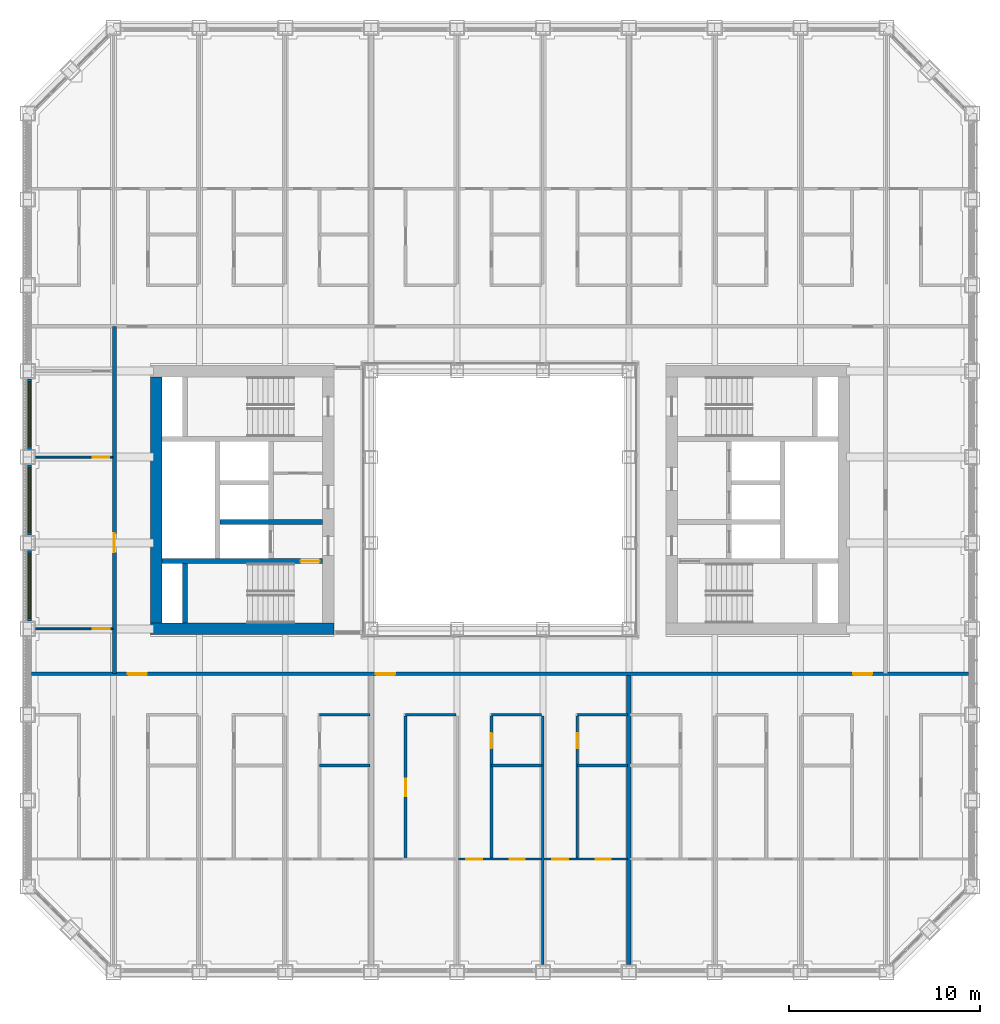
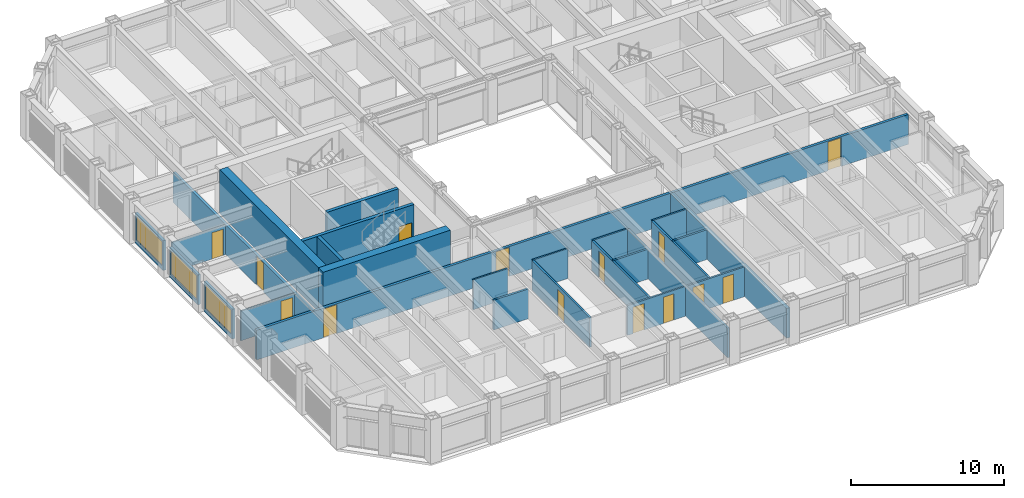
# One storey, part 10 of 21: 26 walls, 14 doors, 3 windows, 17 openings.
"""IFC4 building model written with IfcOpenShell, lengths in metres."""

from ifc_helpers import new_model, si_unit, direction, frame, frame_2d, origin, place, context, subcontext, project, spatial, rectangle, extrude, material, layer, layer_set, type_object, element, fill, save


model = new_model("IFC4")

# Units and contexts
model_context = context("Model", 3, precision=1e-05, world=origin(), true_north=direction((0.0, 1.0)))
body_context = subcontext(model_context, "Body", "Model", "MODEL_VIEW")
ifc_project = project(units=[si_unit("LENGTHUNIT", "METRE"), si_unit("AREAUNIT", "SQUARE_METRE"), si_unit("VOLUMEUNIT", "CUBIC_METRE"), si_unit("PLANEANGLEUNIT", "RADIAN"), si_unit("MASSUNIT", "GRAM", prefix="KILO")], contexts=[model_context])

# Site, building, storey
site_placement = place(None, origin())
site = spatial("IfcSite", under=ifc_project, at=site_placement, CompositionType="ELEMENT")
building_placement = place(site_placement, origin())
building = spatial("IfcBuilding", under=site, at=building_placement, Name="Msasa Ring Tower", CompositionType="ELEMENT")
storey_placement = place(building_placement, frame((0.0, 0.0, 89.5)))
storey = spatial("IfcBuildingStorey", under=building, at=storey_placement, Name="L23", CompositionType="ELEMENT", Elevation=89.5)

# Walls
ifc_material_1 = material(Name="Concrete C60/75", Category="concrete")
ifc_layer_1 = layer(ifc_material_1, 0.60009765625)
ifc_layer_set_1 = layer_set([ifc_layer_1], Name="CW1 CORE WALL 600")
wall_type_1 = type_object("IfcWallType", Name="CW1 CORE WALL 600", PredefinedType="SHEAR", material=ifc_layer_set_1)
wall_1_placement = place(storey_placement, frame((-8.699951171875, -6.75, 0.0), z_axis=(0.0, 0.0, 1.0), x_axis=(-1.0, 0.0, 0.0)))
element("IfcWall", 1, at=wall_1_placement, inside=storey, type_object=wall_type_1, Name="W core wall S L23", PredefinedType="SHEAR", context=body_context, shape_type="SweptSolid", body=[
    extrude(rectangle(XDim=9.60009765625, YDim=0.60009765625, at=frame_2d((4.800048828125, 0.0))), origin(), (0.0, 0.0, 1.0), 3.5),
])
wall_2_placement = place(storey_placement, frame((-18.0, -6.449951171875, 0.0), z_axis=(0.0, 0.0, 1.0), x_axis=(0.0, 1.0, 0.0)))
element("IfcWall", 2, at=wall_2_placement, inside=storey, type_object=wall_type_1, Name="W core wall E L23", PredefinedType="SHEAR", context=body_context, shape_type="SweptSolid", body=[
    extrude(rectangle(XDim=12.89990234375, YDim=0.60009765625, at=frame_2d((6.449951171875, 0.0))), origin(), (0.0, 0.0, 1.0), 3.5),
])

# Wall, opening, door
ifc_material_2 = material(Name="Concrete C60/75", Category="concrete")
ifc_layer_2 = layer(ifc_material_2, 0.25)
ifc_layer_set_2 = layer_set([ifc_layer_2], Name="CW4 CORE INNER WALL 250")
wall_type_2 = type_object("IfcWallType", Name="CW4 CORE INNER WALL 250", PredefinedType="SHEAR", material=ifc_layer_set_2)
wall_3_placement = place(storey_placement, frame((-9.300048828125, -3.199951171875, 0.0), z_axis=(0.0, 0.0, 1.0), x_axis=(-1.0, 0.0, 0.0)))
wall_3 = element("IfcWall", 3, at=wall_3_placement, inside=storey, type_object=wall_type_2, Name="W core wall STAIRA L23", PredefinedType="SHEAR", context=body_context, shape_type="SweptSolid", body=[
    extrude(rectangle(XDim=8.39990234375, YDim=0.25, at=frame_2d((4.199951171875, 0.0))), origin(), (0.0, 0.0, 1.0), 3.5),
])
opening_1_placement = place(wall_3_placement, frame((0.14990234375, 0.0, 0.0)))
opening_1 = element("IfcOpeningElement", 4, at=opening_1_placement, cuts=wall_3, Name="Opening RG-046", PredefinedType="OPENING", context=body_context, shape_type="SweptSolid", body=[
    extrude(rectangle(XDim=1.0, YDim=2.10009765625, at=frame_2d((0.5, 1.050048828125))), frame((0.0, 0.135009765625, 0.0), z_axis=(0.0, -1.0, 0.0), x_axis=(1.0, 0.0, 0.0)), (0.0, 0.0, 1.0), 0.27001953125),
])
ifc_material_3 = material(Name="Timber door leaf in a steel frame", Category="steel")
door_type_1 = type_object("IfcDoorType", Name="D6 STAIR DOOR 1000x2100", OperationType="SINGLE_SWING_LEFT", PredefinedType="DOOR", material=ifc_material_3)
door_1_placement = place(opening_1_placement, origin())
door_1 = element("IfcDoor", 5, at=door_1_placement, inside=storey, type_object=door_type_1, Name="Door L23-WSTA", OperationType="SINGLE_SWING_LEFT", OverallHeight=2.10009765625, OverallWidth=1.0, PredefinedType="DOOR", context=body_context, shape_type="SweptSolid", body=[
    extrude(rectangle(XDim=1.0, YDim=2.10009765625, at=frame_2d((0.5, 1.050048828125))), frame((0.0, 0.02490234375, 0.0), z_axis=(0.0, -1.0, 0.0), x_axis=(1.0, 0.0, 0.0)), (0.0, 0.0, 1.0), 0.050048828125),
])
fill(opening_1, door_1)

# Walls
wall_4_placement = place(storey_placement, frame((-16.5, -6.449951171875, 0.0), z_axis=(0.0, 0.0, 1.0), x_axis=(0.0, 1.0, 0.0)))
element("IfcWall", 6, at=wall_4_placement, inside=storey, type_object=wall_type_2, Name="W core wall RISERA L23", PredefinedType="SHEAR", context=body_context, shape_type="SweptSolid", body=[
    extrude(rectangle(XDim=3.125, YDim=0.25, at=frame_2d((1.5625, 0.0))), origin(), (0.0, 0.0, 1.0), 3.5),
])
wall_5_placement = place(storey_placement, frame((-9.300048828125, -1.14990234375, 0.0), z_axis=(0.0, 0.0, 1.0), x_axis=(-1.0, 0.0, 0.0)))
element("IfcWall", 7, at=wall_5_placement, inside=storey, type_object=wall_type_2, Name="W core wall FFL L23", PredefinedType="SHEAR", context=body_context, shape_type="SweptSolid", body=[
    extrude(rectangle(XDim=5.375, YDim=0.25, at=frame_2d((2.6875, 0.0))), origin(), (0.0, 0.0, 1.0), 3.5),
])

# Wall, opening, window
ifc_material_4 = material(Name="Terracotta rainscreen on blockwork", Category="masonry")
ifc_layer_3 = layer(ifc_material_4, 0.199951171875)
ifc_layer_set_3 = layer_set([ifc_layer_3], Name="FW1 TERRACOTTA-LINED INFILL BAY WALL 200")
wall_type_3 = type_object("IfcWallType", Name="FW1 TERRACOTTA-LINED INFILL BAY WALL 200", PredefinedType="SOLIDWALL", material=ifc_layer_set_3)
wall_6_placement = place(storey_placement, frame((-24.64990234375, -6.344970703125, 0.0), z_axis=(0.0, 0.0, 1.0), x_axis=(0.0, 1.0, 0.0)))
wall_6 = element("IfcWall", 8, at=wall_6_placement, inside=storey, type_object=wall_type_3, Name="Infill bay wall W L23 36", PredefinedType="SOLIDWALL", context=body_context, shape_type="SweptSolid", body=[
    extrude(rectangle(XDim=3.68994140625, YDim=0.199951171875, at=frame_2d((1.844970703125, 0.0))), origin(), (0.0, 0.0, 1.0), 2.37890625),
])
opening_2_placement = place(wall_6_placement, frame((0.14501953125, 0.0, 0.300048828125)))
opening_2 = element("IfcOpeningElement", 9, at=opening_2_placement, cuts=wall_6, Name="Opening WN1", PredefinedType="OPENING", context=body_context, shape_type="SweptSolid", body=[
    extrude(rectangle(XDim=3.39990234375, YDim=1.928955078125, at=frame_2d((1.699951171875, 0.96435546875))), frame((0.0, 0.10986328125, 0.0), z_axis=(0.0, -1.0, 0.0), x_axis=(1.0, 0.0, 0.0)), (0.0, 0.0, 1.0), 0.219970703125),
])
ifc_material_5 = material(Name="Aluminium frame with clear glass", Category="aluminium")
window_type = type_object("IfcWindowType", Name="WN1 RESIDENCE WINDOW 3400x1929", PartitioningType="SINGLE_PANEL", PredefinedType="WINDOW", material=ifc_material_5)
window_1_placement = place(opening_2_placement, origin())
window_1 = element("IfcWindow", 10, at=window_1_placement, inside=storey, type_object=window_type, Name="Window W L23 36", OverallHeight=1.928955078125, OverallWidth=3.39990234375, PartitioningType="SINGLE_PANEL", PredefinedType="WINDOW", context=body_context, shape_type="SweptSolid", body=[
    extrude(rectangle(XDim=3.39990234375, YDim=1.928955078125, at=frame_2d((1.699951171875, 0.96435546875))), frame((0.0, 0.030029296875, 0.0), z_axis=(0.0, -1.0, 0.0), x_axis=(1.0, 0.0, 0.0)), (0.0, 0.0, 1.0), 0.06005859375),
])
fill(opening_2, window_1)

wall_7_placement = place(storey_placement, frame((-24.64990234375, -1.844970703125, 0.0), z_axis=(0.0, 0.0, 1.0), x_axis=(0.0, 1.0, 0.0)))
wall_7 = element("IfcWall", 11, at=wall_7_placement, inside=storey, type_object=wall_type_3, Name="Infill bay wall W L23 37", PredefinedType="SOLIDWALL", context=body_context, shape_type="SweptSolid", body=[
    extrude(rectangle(XDim=3.68994140625, YDim=0.199951171875, at=frame_2d((1.844970703125, 0.0))), origin(), (0.0, 0.0, 1.0), 2.37890625),
])
opening_3_placement = place(wall_7_placement, frame((0.14501953125, 0.0, 0.300048828125)))
opening_3 = element("IfcOpeningElement", 12, at=opening_3_placement, cuts=wall_7, Name="Opening WN1", PredefinedType="OPENING", context=body_context, shape_type="SweptSolid", body=[
    extrude(rectangle(XDim=3.39990234375, YDim=1.928955078125, at=frame_2d((1.699951171875, 0.96435546875))), frame((0.0, 0.10986328125, 0.0), z_axis=(0.0, -1.0, 0.0), x_axis=(1.0, 0.0, 0.0)), (0.0, 0.0, 1.0), 0.219970703125),
])
window_2_placement = place(opening_3_placement, origin())
window_2 = element("IfcWindow", 13, at=window_2_placement, inside=storey, type_object=window_type, Name="Window W L23 37", OverallHeight=1.928955078125, OverallWidth=3.39990234375, PartitioningType="SINGLE_PANEL", PredefinedType="WINDOW", context=body_context, shape_type="SweptSolid", body=[
    extrude(rectangle(XDim=3.39990234375, YDim=1.928955078125, at=frame_2d((1.699951171875, 0.96435546875))), frame((0.0, 0.030029296875, 0.0), z_axis=(0.0, -1.0, 0.0), x_axis=(1.0, 0.0, 0.0)), (0.0, 0.0, 1.0), 0.06005859375),
])
fill(opening_3, window_2)

wall_8_placement = place(storey_placement, frame((-24.64990234375, 2.655029296875, 0.0), z_axis=(0.0, 0.0, 1.0), x_axis=(0.0, 1.0, 0.0)))
wall_8 = element("IfcWall", 14, at=wall_8_placement, inside=storey, type_object=wall_type_3, Name="Infill bay wall W L23 38", PredefinedType="SOLIDWALL", context=body_context, shape_type="SweptSolid", body=[
    extrude(rectangle(XDim=3.68994140625, YDim=0.199951171875, at=frame_2d((1.844970703125, 0.0))), origin(), (0.0, 0.0, 1.0), 2.37890625),
])
opening_4_placement = place(wall_8_placement, frame((0.14501953125, 0.0, 0.300048828125)))
opening_4 = element("IfcOpeningElement", 15, at=opening_4_placement, cuts=wall_8, Name="Opening WN1", PredefinedType="OPENING", context=body_context, shape_type="SweptSolid", body=[
    extrude(rectangle(XDim=3.39990234375, YDim=1.928955078125, at=frame_2d((1.699951171875, 0.96435546875))), frame((0.0, 0.10986328125, 0.0), z_axis=(0.0, -1.0, 0.0), x_axis=(1.0, 0.0, 0.0)), (0.0, 0.0, 1.0), 0.219970703125),
])
window_3_placement = place(opening_4_placement, origin())
window_3 = element("IfcWindow", 16, at=window_3_placement, inside=storey, type_object=window_type, Name="Window W L23 38", OverallHeight=1.928955078125, OverallWidth=3.39990234375, PartitioningType="SINGLE_PANEL", PredefinedType="WINDOW", context=body_context, shape_type="SweptSolid", body=[
    extrude(rectangle(XDim=3.39990234375, YDim=1.928955078125, at=frame_2d((1.699951171875, 0.96435546875))), frame((0.0, 0.030029296875, 0.0), z_axis=(0.0, -1.0, 0.0), x_axis=(1.0, 0.0, 0.0)), (0.0, 0.0, 1.0), 0.06005859375),
])
fill(opening_4, window_3)

# Wall, openings, doors
ifc_material_6 = material(Name="Concrete blockwork", Category="masonry")
ifc_layer_4 = layer(ifc_material_6, 0.199951171875)
ifc_layer_set_4 = layer_set([ifc_layer_4], Name="PT1 CORRIDOR WALL 200")
wall_type_4 = type_object("IfcWallType", Name="PT1 CORRIDOR WALL 200", PredefinedType="PARTITIONING", material=ifc_layer_set_4)
wall_9_placement = place(storey_placement, frame((-24.550048828125, -9.10009765625, 0.0), z_axis=(0.0, 0.0, 1.0), x_axis=(1.0, 0.0, 0.0)))
wall_9 = element("IfcWall", 17, at=wall_9_placement, inside=storey, type_object=wall_type_4, Name="Corridor wall L23-CORRS0", PredefinedType="PARTITIONING", context=body_context, shape_type="SweptSolid", body=[
    extrude(rectangle(XDim=49.10009765625, YDim=0.199951171875, at=frame_2d((24.550048828125, 0.0))), origin(), (0.0, 0.0, 1.0), 2.373291015625),
])
opening_5_placement = place(wall_9_placement, frame((5.050048828125, 0.0, 0.0)))
opening_5 = element("IfcOpeningElement", 18, at=opening_5_placement, cuts=wall_9, Name="Opening RG-050", PredefinedType="OPENING", context=body_context, shape_type="SweptSolid", body=[
    extrude(rectangle(XDim=1.0, YDim=2.300048828125, at=frame_2d((0.5, 1.14990234375))), frame((0.0, 0.10986328125, 0.0), z_axis=(0.0, -1.0, 0.0), x_axis=(1.0, 0.0, 0.0)), (0.0, 0.0, 1.0), 0.219970703125),
])
opening_6_placement = place(wall_9_placement, frame((18.050048828125, 0.0, 0.0)))
opening_6 = element("IfcOpeningElement", 19, at=opening_6_placement, cuts=wall_9, Name="Opening RG-051", PredefinedType="OPENING", context=body_context, shape_type="SweptSolid", body=[
    extrude(rectangle(XDim=1.0, YDim=2.300048828125, at=frame_2d((0.5, 1.14990234375))), frame((0.0, 0.10986328125, 0.0), z_axis=(0.0, -1.0, 0.0), x_axis=(1.0, 0.0, 0.0)), (0.0, 0.0, 1.0), 0.219970703125),
])
opening_7_placement = place(wall_9_placement, frame((43.050048828125, 0.0, 0.0)))
opening_7 = element("IfcOpeningElement", 20, at=opening_7_placement, cuts=wall_9, Name="Opening RG-052", PredefinedType="OPENING", context=body_context, shape_type="SweptSolid", body=[
    extrude(rectangle(XDim=1.0, YDim=2.300048828125, at=frame_2d((0.5, 1.14990234375))), frame((0.0, 0.10986328125, 0.0), z_axis=(0.0, -1.0, 0.0), x_axis=(1.0, 0.0, 0.0)), (0.0, 0.0, 1.0), 0.219970703125),
])
ifc_material_7 = material(Name="Timber door leaf in a steel frame", Category="steel")
door_type_2 = type_object("IfcDoorType", Name="D16 UPPER RESIDENCE ENTRANCE DOOR 1000x2300", OperationType="SINGLE_SWING_LEFT", PredefinedType="DOOR", material=ifc_material_7)
door_2_placement = place(opening_5_placement, origin())
door_2 = element("IfcDoor", 21, at=door_2_placement, inside=storey, type_object=door_type_2, Name="Door L23-US00", OperationType="SINGLE_SWING_LEFT", OverallHeight=2.300048828125, OverallWidth=1.0, PredefinedType="DOOR", context=body_context, shape_type="SweptSolid", body=[
    extrude(rectangle(XDim=1.0, YDim=2.300048828125, at=frame_2d((0.5, 1.14990234375))), frame((0.0, 0.02490234375, 0.0), z_axis=(0.0, -1.0, 0.0), x_axis=(1.0, 0.0, 0.0)), (0.0, 0.0, 1.0), 0.050048828125),
])
fill(opening_5, door_2)
door_3_placement = place(opening_6_placement, origin())
door_3 = element("IfcDoor", 22, at=door_3_placement, inside=storey, type_object=door_type_2, Name="Door L23-US01", OperationType="SINGLE_SWING_LEFT", OverallHeight=2.300048828125, OverallWidth=1.0, PredefinedType="DOOR", context=body_context, shape_type="SweptSolid", body=[
    extrude(rectangle(XDim=1.0, YDim=2.300048828125, at=frame_2d((0.5, 1.14990234375))), frame((0.0, 0.02490234375, 0.0), z_axis=(0.0, -1.0, 0.0), x_axis=(1.0, 0.0, 0.0)), (0.0, 0.0, 1.0), 0.050048828125),
])
fill(opening_6, door_3)
door_4_placement = place(opening_7_placement, origin())
door_4 = element("IfcDoor", 23, at=door_4_placement, inside=storey, type_object=door_type_2, Name="Door L23-US02", OperationType="SINGLE_SWING_RIGHT", OverallHeight=2.300048828125, OverallWidth=1.0, PredefinedType="DOOR", context=body_context, shape_type="SweptSolid", body=[
    extrude(rectangle(XDim=1.0, YDim=2.300048828125, at=frame_2d((0.5, 1.14990234375))), frame((0.0, 0.02490234375, 0.0), z_axis=(0.0, -1.0, 0.0), x_axis=(1.0, 0.0, 0.0)), (0.0, 0.0, 1.0), 0.050048828125),
])
fill(opening_7, door_4)

# Wall, opening, door
wall_10_placement = place(storey_placement, frame((-20.199951171875, -9.10009765625, 0.0), z_axis=(0.0, 0.0, 1.0), x_axis=(0.0, 1.0, 0.0)))
wall_10 = element("IfcWall", 24, at=wall_10_placement, inside=storey, type_object=wall_type_4, Name="Corridor wall L23-STRW", PredefinedType="PARTITIONING", context=body_context, shape_type="SweptSolid", body=[
    extrude(rectangle(XDim=18.2001953125, YDim=0.199951171875, at=frame_2d((9.10009765625, 0.0))), origin(), (0.0, 0.0, 1.0), 2.373291015625),
])
opening_8_placement = place(wall_10_placement, frame((6.35009765625, 0.0, 0.0)))
opening_8 = element("IfcOpeningElement", 25, at=opening_8_placement, cuts=wall_10, Name="Opening RG-043", PredefinedType="OPENING", context=body_context, shape_type="SweptSolid", body=[
    extrude(rectangle(XDim=1.0, YDim=2.300048828125, at=frame_2d((0.5, 1.14990234375))), frame((0.0, 0.10986328125, 0.0), z_axis=(0.0, -1.0, 0.0), x_axis=(1.0, 0.0, 0.0)), (0.0, 0.0, 1.0), 0.219970703125),
])
door_5_placement = place(opening_8_placement, origin())
door_5 = element("IfcDoor", 26, at=door_5_placement, inside=storey, type_object=door_type_2, Name="Door L23-STW", OperationType="SINGLE_SWING_LEFT", OverallHeight=2.300048828125, OverallWidth=1.0, PredefinedType="DOOR", context=body_context, shape_type="SweptSolid", body=[
    extrude(rectangle(XDim=1.0, YDim=2.300048828125, at=frame_2d((0.5, 1.14990234375))), frame((0.0, 0.02490234375, 0.0), z_axis=(0.0, -1.0, 0.0), x_axis=(1.0, 0.0, 0.0)), (0.0, 0.0, 1.0), 0.050048828125),
])
fill(opening_8, door_5)

ifc_material_8 = material(Name="Gypsum board on steel studs", Category="steel")
ifc_layer_5 = layer(ifc_material_8, 0.10009765625)
ifc_layer_set_5 = layer_set([ifc_layer_5], Name="PT2 STUD PARTITION 100")
wall_type_5 = type_object("IfcWallType", Name="PT2 STUD PARTITION 100", PredefinedType="PARTITIONING", material=ifc_layer_set_5)
wall_11_placement = place(storey_placement, frame((-24.35009765625, -6.75, 0.0), z_axis=(0.0, 0.0, 1.0), x_axis=(1.0, 0.0, 0.0)))
wall_11 = element("IfcWall", 27, at=wall_11_placement, inside=storey, type_object=wall_type_5, Name="Partition L23-STWKY", PredefinedType="PARTITIONING", context=body_context, shape_type="SweptSolid", body=[
    extrude(rectangle(XDim=4.050048828125, YDim=0.10009765625, at=frame_2d((2.02490234375, 0.0))), origin(), (0.0, 0.0, 1.0), 2.373291015625),
])
opening_9_placement = place(wall_11_placement, frame((3.0, 0.0, 0.0)))
opening_9 = element("IfcOpeningElement", 28, at=opening_9_placement, cuts=wall_11, Name="Opening RG-048", PredefinedType="OPENING", context=body_context, shape_type="SweptSolid", body=[
    extrude(rectangle(XDim=0.89990234375, YDim=2.10009765625, at=frame_2d((0.449951171875, 1.050048828125))), frame((0.0, 0.06005859375, 0.0), z_axis=(0.0, -1.0, 0.0), x_axis=(1.0, 0.0, 0.0)), (0.0, 0.0, 1.0), 0.1201171875),
])
ifc_material_9 = material(Name="Timber door leaf in a steel frame", Category="steel")
door_type_3 = type_object("IfcDoorType", Name="D22 INTERNAL HALL DOOR 900x2100", OperationType="SINGLE_SWING_LEFT", PredefinedType="DOOR", material=ifc_material_9)
door_6_placement = place(opening_9_placement, origin())
door_6 = element("IfcDoor", 29, at=door_6_placement, inside=storey, type_object=door_type_3, Name="Door L23-STWK", OperationType="SINGLE_SWING_RIGHT", OverallHeight=2.10009765625, OverallWidth=0.89990234375, PredefinedType="DOOR", context=body_context, shape_type="SweptSolid", body=[
    extrude(rectangle(XDim=0.89990234375, YDim=2.10009765625, at=frame_2d((0.449951171875, 1.050048828125))), frame((0.0, 0.02490234375, 0.0), z_axis=(0.0, -1.0, 0.0), x_axis=(1.0, 0.0, 0.0)), (0.0, 0.0, 1.0), 0.050048828125),
])
fill(opening_9, door_6)

wall_12_placement = place(storey_placement, frame((-24.35009765625, 2.25, 0.0), z_axis=(0.0, 0.0, 1.0), x_axis=(1.0, 0.0, 0.0)))
wall_12 = element("IfcWall", 30, at=wall_12_placement, inside=storey, type_object=wall_type_5, Name="Partition L23-STWRY", PredefinedType="PARTITIONING", context=body_context, shape_type="SweptSolid", body=[
    extrude(rectangle(XDim=4.050048828125, YDim=0.10009765625, at=frame_2d((2.02490234375, 0.0))), origin(), (0.0, 0.0, 1.0), 2.373291015625),
])
opening_10_placement = place(wall_12_placement, frame((3.02490234375, 0.0, 0.0)))
opening_10 = element("IfcOpeningElement", 31, at=opening_10_placement, cuts=wall_12, Name="Opening RG-038", PredefinedType="OPENING", context=body_context, shape_type="SweptSolid", body=[
    extrude(rectangle(XDim=0.85009765625, YDim=2.10009765625, at=frame_2d((0.425048828125, 1.050048828125))), frame((0.0, 0.06005859375, 0.0), z_axis=(0.0, -1.0, 0.0), x_axis=(1.0, 0.0, 0.0)), (0.0, 0.0, 1.0), 0.1201171875),
])
ifc_material_10 = material(Name="Timber door leaf in a steel frame", Category="steel")
door_type_4 = type_object("IfcDoorType", Name="D14 BEDROOM DOOR 850x2100", OperationType="SINGLE_SWING_LEFT", PredefinedType="DOOR", material=ifc_material_10)
door_7_placement = place(opening_10_placement, origin())
door_7 = element("IfcDoor", 32, at=door_7_placement, inside=storey, type_object=door_type_4, Name="Door L23-STWR", OperationType="SINGLE_SWING_RIGHT", OverallHeight=2.10009765625, OverallWidth=0.85009765625, PredefinedType="DOOR", context=body_context, shape_type="SweptSolid", body=[
    extrude(rectangle(XDim=0.85009765625, YDim=2.10009765625, at=frame_2d((0.425048828125, 1.050048828125))), frame((0.0, 0.02490234375, 0.0), z_axis=(0.0, -1.0, 0.0), x_axis=(1.0, 0.0, 0.0)), (0.0, 0.0, 1.0), 0.050048828125),
])
fill(opening_10, door_7)

# Walls
ifc_material_11 = material(Name="Dense concrete blockwork, plastered both faces", Category="masonry")
ifc_layer_6 = layer(ifc_material_11, 0.25)
ifc_layer_set_6 = layer_set([ifc_layer_6], Name="PT3 APARTMENT SEPARATING WALL 250")
wall_type_6 = type_object("IfcWallType", Name="PT3 APARTMENT SEPARATING WALL 250", PredefinedType="PARTITIONING", material=ifc_layer_set_6)
wall_13_placement = place(storey_placement, frame((6.75, -24.35009765625, 0.0), z_axis=(0.0, 0.0, 1.0), x_axis=(0.0, 1.0, 0.0)))
element("IfcWall", 33, at=wall_13_placement, inside=storey, type_object=wall_type_6, Name="Party wall L23-PWS+6.75", PredefinedType="PARTITIONING", context=body_context, shape_type="SweptSolid", body=[
    extrude(rectangle(XDim=15.150146484375, YDim=0.25, at=frame_2d((7.5751953125, 0.0))), origin(), (0.0, 0.0, 1.0), 2.373291015625),
])
ifc_material_12 = material(Name="Moisture-resistant board on steel studs with a concealed cistern and pipe void, tiled", Category="steel")
ifc_layer_7 = layer(ifc_material_12, 0.14990234375)
ifc_layer_set_7 = layer_set([ifc_layer_7], Name="PT4 BATHROOM WET WALL 150")
wall_type_7 = type_object("IfcWallType", Name="PT4 BATHROOM WET WALL 150", PredefinedType="PARTITIONING", material=ifc_layer_set_7)
wall_14_placement = place(storey_placement, frame((-9.449951171875, -13.91259765625, 0.0), z_axis=(0.0, 0.0, 1.0), x_axis=(1.0, 0.0, 0.0)))
element("IfcWall", 34, at=wall_14_placement, inside=storey, type_object=wall_type_7, Name="Partition L23-US00SB3", PredefinedType="PARTITIONING", context=body_context, shape_type="SweptSolid", body=[
    extrude(rectangle(XDim=2.632568359375, YDim=0.14990234375, at=frame_2d((1.31640625, 0.0))), origin(), (0.0, 0.0, 1.0), 2.373291015625),
])

# Wall, opening, door
wall_15_placement = place(storey_placement, frame((-4.949951171875, -18.8125, 0.0), z_axis=(0.0, 0.0, 1.0), x_axis=(0.0, 1.0, 0.0)))
wall_15 = element("IfcWall", 35, at=wall_15_placement, inside=storey, type_object=wall_type_7, Name="Partition L23-US01SX0", PredefinedType="PARTITIONING", context=body_context, shape_type="SweptSolid", body=[
    extrude(rectangle(XDim=7.5, YDim=0.14990234375, at=frame_2d((3.75, 0.0))), origin(), (0.0, 0.0, 1.0), 2.373291015625),
])
opening_11_placement = place(wall_15_placement, frame((3.300048828125, 0.0, 0.0)))
opening_11 = element("IfcOpeningElement", 36, at=opening_11_placement, cuts=wall_15, Name="Opening RG-062", PredefinedType="OPENING", context=body_context, shape_type="SweptSolid", body=[
    extrude(rectangle(XDim=0.89990234375, YDim=2.10009765625, at=frame_2d((0.449951171875, 1.050048828125))), frame((0.0, 0.0849609375, 0.0), z_axis=(0.0, -1.0, 0.0), x_axis=(1.0, 0.0, 0.0)), (0.0, 0.0, 1.0), 0.169921875),
])
door_8_placement = place(opening_11_placement, origin())
door_8 = element("IfcDoor", 37, at=door_8_placement, inside=storey, type_object=door_type_3, Name="Door L23-US01K", OperationType="SINGLE_SWING_LEFT", OverallHeight=2.10009765625, OverallWidth=0.89990234375, PredefinedType="DOOR", context=body_context, shape_type="SweptSolid", body=[
    extrude(rectangle(XDim=0.89990234375, YDim=2.10009765625, at=frame_2d((0.449951171875, 1.050048828125))), frame((0.0, 0.02490234375, 0.0), z_axis=(0.0, -1.0, 0.0), x_axis=(1.0, 0.0, 0.0)), (0.0, 0.0, 1.0), 0.050048828125),
])
fill(opening_11, door_8)

wall_16_placement = place(storey_placement, frame((-0.449951171875, -18.8125, 0.0), z_axis=(0.0, 0.0, 1.0), x_axis=(0.0, 1.0, 0.0)))
wall_16 = element("IfcWall", 38, at=wall_16_placement, inside=storey, type_object=wall_type_7, Name="Partition L23-US01SX1", PredefinedType="PARTITIONING", context=body_context, shape_type="SweptSolid", body=[
    extrude(rectangle(XDim=7.5, YDim=0.14990234375, at=frame_2d((3.75, 0.0))), origin(), (0.0, 0.0, 1.0), 2.373291015625),
])
opening_12_placement = place(wall_16_placement, frame((5.800048828125, 0.0, 0.0)))
opening_12 = element("IfcOpeningElement", 39, at=opening_12_placement, cuts=wall_16, Name="Opening RG-056", PredefinedType="OPENING", context=body_context, shape_type="SweptSolid", body=[
    extrude(rectangle(XDim=0.800048828125, YDim=2.10009765625, at=frame_2d((0.39990234375, 1.050048828125))), frame((0.0, 0.0849609375, 0.0), z_axis=(0.0, -1.0, 0.0), x_axis=(1.0, 0.0, 0.0)), (0.0, 0.0, 1.0), 0.169921875),
])
ifc_material_13 = material(Name="Timber door leaf in a steel frame", Category="steel")
door_type_5 = type_object("IfcDoorType", Name="D21 POCKET SLIDING BATHROOM DOOR 800x2100", OperationType="SINGLE_SWING_LEFT", PredefinedType="DOOR", material=ifc_material_13)
door_9_placement = place(opening_12_placement, origin())
door_9 = element("IfcDoor", 40, at=door_9_placement, inside=storey, type_object=door_type_5, Name="Door L23-US01B1", OperationType="SINGLE_SWING_RIGHT", OverallHeight=2.10009765625, OverallWidth=0.800048828125, PredefinedType="DOOR", context=body_context, shape_type="SweptSolid", body=[
    extrude(rectangle(XDim=0.800048828125, YDim=2.10009765625, at=frame_2d((0.39990234375, 1.050048828125))), frame((0.0, 0.02490234375, 0.0), z_axis=(0.0, -1.0, 0.0), x_axis=(1.0, 0.0, 0.0)), (0.0, 0.0, 1.0), 0.050048828125),
])
fill(opening_12, door_9)

# Wall
wall_17_placement = place(storey_placement, frame((-0.449951171875, -13.91259765625, 0.0), z_axis=(0.0, 0.0, 1.0), x_axis=(1.0, 0.0, 0.0)))
element("IfcWall", 41, at=wall_17_placement, inside=storey, type_object=wall_type_7, Name="Partition L23-US01SB1", PredefinedType="PARTITIONING", context=body_context, shape_type="SweptSolid", body=[
    extrude(rectangle(XDim=2.637451171875, YDim=0.14990234375, at=frame_2d((1.31884765625, 0.0))), origin(), (0.0, 0.0, 1.0), 2.373291015625),
])

# Wall, opening, door
wall_18_placement = place(storey_placement, frame((4.050048828125, -18.8125, 0.0), z_axis=(0.0, 0.0, 1.0), x_axis=(0.0, 1.0, 0.0)))
wall_18 = element("IfcWall", 42, at=wall_18_placement, inside=storey, type_object=wall_type_7, Name="Partition L23-US01SX2", PredefinedType="PARTITIONING", context=body_context, shape_type="SweptSolid", body=[
    extrude(rectangle(XDim=7.5, YDim=0.14990234375, at=frame_2d((3.75, 0.0))), origin(), (0.0, 0.0, 1.0), 2.373291015625),
])
opening_13_placement = place(wall_18_placement, frame((5.800048828125, 0.0, 0.0)))
opening_13 = element("IfcOpeningElement", 43, at=opening_13_placement, cuts=wall_18, Name="Opening RG-057", PredefinedType="OPENING", context=body_context, shape_type="SweptSolid", body=[
    extrude(rectangle(XDim=0.800048828125, YDim=2.10009765625, at=frame_2d((0.39990234375, 1.050048828125))), frame((0.0, 0.0849609375, 0.0), z_axis=(0.0, -1.0, 0.0), x_axis=(1.0, 0.0, 0.0)), (0.0, 0.0, 1.0), 0.169921875),
])
door_10_placement = place(opening_13_placement, origin())
door_10 = element("IfcDoor", 44, at=door_10_placement, inside=storey, type_object=door_type_5, Name="Door L23-US01B2", OperationType="SINGLE_SWING_RIGHT", OverallHeight=2.10009765625, OverallWidth=0.800048828125, PredefinedType="DOOR", context=body_context, shape_type="SweptSolid", body=[
    extrude(rectangle(XDim=0.800048828125, YDim=2.10009765625, at=frame_2d((0.39990234375, 1.050048828125))), frame((0.0, 0.02490234375, 0.0), z_axis=(0.0, -1.0, 0.0), x_axis=(1.0, 0.0, 0.0)), (0.0, 0.0, 1.0), 0.050048828125),
])
fill(opening_13, door_10)

# Walls
wall_19_placement = place(storey_placement, frame((4.050048828125, -13.91259765625, 0.0), z_axis=(0.0, 0.0, 1.0), x_axis=(1.0, 0.0, 0.0)))
element("IfcWall", 45, at=wall_19_placement, inside=storey, type_object=wall_type_7, Name="Partition L23-US01SB2", PredefinedType="PARTITIONING", context=body_context, shape_type="SweptSolid", body=[
    extrude(rectangle(XDim=2.632568359375, YDim=0.14990234375, at=frame_2d((1.31640625, 0.0))), origin(), (0.0, 0.0, 1.0), 2.373291015625),
])
ifc_material_14 = material(Name="Two layers of acoustic board each face on steel studs, mineral wool", Category="steel")
ifc_layer_8 = layer(ifc_material_14, 0.125)
ifc_layer_set_8 = layer_set([ifc_layer_8], Name="PT6 ACOUSTIC DOUBLE-BOARD PARTITION 125")
wall_type_8 = type_object("IfcWallType", Name="PT6 ACOUSTIC DOUBLE-BOARD PARTITION 125", PredefinedType="PARTITIONING", material=ifc_layer_set_8)
for number, where, z_axis, x_axis, name in (
    (46, (-9.449951171875, -11.25, 0.0), (0.0, 0.0, 1.0), (1.0, 0.0, 0.0), "Partition L23-US00HY3"),
    (47, (-4.949951171875, -11.25, 0.0), (0.0, 0.0, 1.0), (1.0, 0.0, 0.0), "Partition L23-US01HY0"),
    (48, (-0.449951171875, -11.25, 0.0), (0.0, 0.0, 1.0), (1.0, 0.0, 0.0), "Partition L23-US01HY1"),
):
    element("IfcWall", number, at=place(storey_placement, frame(where, z_axis=z_axis, x_axis=x_axis)), inside=storey, type_object=wall_type_8, Name=name, PredefinedType="PARTITIONING", context=body_context, shape_type="SweptSolid", body=[
        extrude(rectangle(XDim=2.632568359375, YDim=0.125, at=frame_2d((1.31640625, 0.0))), origin(), (0.0, 0.0, 1.0), 2.373291015625),
    ])

# Wall, openings, doors
wall_20_placement = place(storey_placement, frame((-2.1875, -18.8125, 0.0), z_axis=(0.0, 0.0, 1.0), x_axis=(1.0, 0.0, 0.0)))
wall_20 = element("IfcWall", 49, at=wall_20_placement, inside=storey, type_object=wall_type_8, Name="Partition L23-US01SY1", PredefinedType="PARTITIONING", context=body_context, shape_type="SweptSolid", body=[
    extrude(rectangle(XDim=4.375, YDim=0.125, at=frame_2d((2.1875, 0.0))), origin(), (0.0, 0.0, 1.0), 2.373291015625),
])
opening_14_placement = place(wall_20_placement, frame((0.41259765625, 0.0, 0.0)))
opening_14 = element("IfcOpeningElement", 50, at=opening_14_placement, cuts=wall_20, Name="Opening RG-072", PredefinedType="OPENING", context=body_context, shape_type="SweptSolid", body=[
    extrude(rectangle(XDim=0.85009765625, YDim=2.10009765625, at=frame_2d((0.425048828125, 1.050048828125))), frame((0.0, 0.072509765625, 0.0), z_axis=(0.0, -1.0, 0.0), x_axis=(1.0, 0.0, 0.0)), (0.0, 0.0, 1.0), 0.14501953125),
])
opening_15_placement = place(wall_20_placement, frame((2.69384765625, 0.0, 0.0)))
opening_15 = element("IfcOpeningElement", 51, at=opening_15_placement, cuts=wall_20, Name="Opening RG-073", PredefinedType="OPENING", context=body_context, shape_type="SweptSolid", body=[
    extrude(rectangle(XDim=0.800048828125, YDim=2.10009765625, at=frame_2d((0.39990234375, 1.050048828125))), frame((0.0, 0.072509765625, 0.0), z_axis=(0.0, -1.0, 0.0), x_axis=(1.0, 0.0, 0.0)), (0.0, 0.0, 1.0), 0.14501953125),
])
door_11_placement = place(opening_14_placement, origin())
door_11 = element("IfcDoor", 52, at=door_11_placement, inside=storey, type_object=door_type_4, Name="Door L23-US01R1", OperationType="SINGLE_SWING_LEFT", OverallHeight=2.10009765625, OverallWidth=0.85009765625, PredefinedType="DOOR", context=body_context, shape_type="SweptSolid", body=[
    extrude(rectangle(XDim=0.85009765625, YDim=2.10009765625, at=frame_2d((0.425048828125, 1.050048828125))), frame((0.0, 0.02490234375, 0.0), z_axis=(0.0, -1.0, 0.0), x_axis=(1.0, 0.0, 0.0)), (0.0, 0.0, 1.0), 0.050048828125),
])
fill(opening_14, door_11)
ifc_material_15 = material(Name="Timber door leaf in a steel frame", Category="steel")
door_type_6 = type_object("IfcDoorType", Name="D60 DRESSING ROOM DOOR 800x2100", OperationType="SINGLE_SWING_LEFT", PredefinedType="DOOR", material=ifc_material_15)
door_12_placement = place(opening_15_placement, origin())
door_12 = element("IfcDoor", 53, at=door_12_placement, inside=storey, type_object=door_type_6, Name="Door L23-US01W1", OperationType="SINGLE_SWING_RIGHT", OverallHeight=2.10009765625, OverallWidth=0.800048828125, PredefinedType="DOOR", context=body_context, shape_type="SweptSolid", body=[
    extrude(rectangle(XDim=0.800048828125, YDim=2.10009765625, at=frame_2d((0.39990234375, 1.050048828125))), frame((0.0, 0.02490234375, 0.0), z_axis=(0.0, -1.0, 0.0), x_axis=(1.0, 0.0, 0.0)), (0.0, 0.0, 1.0), 0.050048828125),
])
fill(opening_15, door_12)

# Walls
wall_21_placement = place(storey_placement, frame((2.25, -24.35009765625, 0.0), z_axis=(0.0, 0.0, 1.0), x_axis=(0.0, 1.0, 0.0)))
element("IfcWall", 54, at=wall_21_placement, inside=storey, type_object=wall_type_8, Name="Partition L23-US01P2", PredefinedType="PARTITIONING", context=body_context, shape_type="SweptSolid", body=[
    extrude(rectangle(XDim=13.03759765625, YDim=0.125, at=frame_2d((6.518798828125, 0.0))), origin(), (0.0, 0.0, 1.0), 2.373291015625),
])
wall_22_placement = place(storey_placement, frame((4.050048828125, -11.25, 0.0), z_axis=(0.0, 0.0, 1.0), x_axis=(1.0, 0.0, 0.0)))
element("IfcWall", 55, at=wall_22_placement, inside=storey, type_object=wall_type_8, Name="Partition L23-US01HY2", PredefinedType="PARTITIONING", context=body_context, shape_type="SweptSolid", body=[
    extrude(rectangle(XDim=2.632568359375, YDim=0.125, at=frame_2d((1.31640625, 0.0))), origin(), (0.0, 0.0, 1.0), 2.373291015625),
])

# Wall, openings, doors
wall_23_placement = place(storey_placement, frame((2.3125, -18.8125, 0.0), z_axis=(0.0, 0.0, 1.0), x_axis=(1.0, 0.0, 0.0)))
wall_23 = element("IfcWall", 56, at=wall_23_placement, inside=storey, type_object=wall_type_8, Name="Partition L23-US01SY2", PredefinedType="PARTITIONING", context=body_context, shape_type="SweptSolid", body=[
    extrude(rectangle(XDim=4.3701171875, YDim=0.125, at=frame_2d((2.18505859375, 0.0))), origin(), (0.0, 0.0, 1.0), 2.373291015625),
])
opening_16_placement = place(wall_23_placement, frame((0.41259765625, 0.0, 0.0)))
opening_16 = element("IfcOpeningElement", 57, at=opening_16_placement, cuts=wall_23, Name="Opening RG-074", PredefinedType="OPENING", context=body_context, shape_type="SweptSolid", body=[
    extrude(rectangle(XDim=0.85009765625, YDim=2.10009765625, at=frame_2d((0.425048828125, 1.050048828125))), frame((0.0, 0.072509765625, 0.0), z_axis=(0.0, -1.0, 0.0), x_axis=(1.0, 0.0, 0.0)), (0.0, 0.0, 1.0), 0.14501953125),
])
opening_17_placement = place(wall_23_placement, frame((2.693603515625, 0.0, 0.0)))
opening_17 = element("IfcOpeningElement", 58, at=opening_17_placement, cuts=wall_23, Name="Opening RG-075", PredefinedType="OPENING", context=body_context, shape_type="SweptSolid", body=[
    extrude(rectangle(XDim=0.800048828125, YDim=2.10009765625, at=frame_2d((0.39990234375, 1.050048828125))), frame((0.0, 0.072509765625, 0.0), z_axis=(0.0, -1.0, 0.0), x_axis=(1.0, 0.0, 0.0)), (0.0, 0.0, 1.0), 0.14501953125),
])
door_13_placement = place(opening_16_placement, origin())
door_13 = element("IfcDoor", 59, at=door_13_placement, inside=storey, type_object=door_type_4, Name="Door L23-US01R2", OperationType="SINGLE_SWING_LEFT", OverallHeight=2.10009765625, OverallWidth=0.85009765625, PredefinedType="DOOR", context=body_context, shape_type="SweptSolid", body=[
    extrude(rectangle(XDim=0.85009765625, YDim=2.10009765625, at=frame_2d((0.425048828125, 1.050048828125))), frame((0.0, 0.02490234375, 0.0), z_axis=(0.0, -1.0, 0.0), x_axis=(1.0, 0.0, 0.0)), (0.0, 0.0, 1.0), 0.050048828125),
])
fill(opening_16, door_13)
door_14_placement = place(opening_17_placement, origin())
door_14 = element("IfcDoor", 60, at=door_14_placement, inside=storey, type_object=door_type_6, Name="Door L23-US01W2", OperationType="SINGLE_SWING_RIGHT", OverallHeight=2.10009765625, OverallWidth=0.800048828125, PredefinedType="DOOR", context=body_context, shape_type="SweptSolid", body=[
    extrude(rectangle(XDim=0.800048828125, YDim=2.10009765625, at=frame_2d((0.39990234375, 1.050048828125))), frame((0.0, 0.02490234375, 0.0), z_axis=(0.0, -1.0, 0.0), x_axis=(1.0, 0.0, 0.0)), (0.0, 0.0, 1.0), 0.050048828125),
])
fill(opening_17, door_14)

save(model, "model.ifc")
